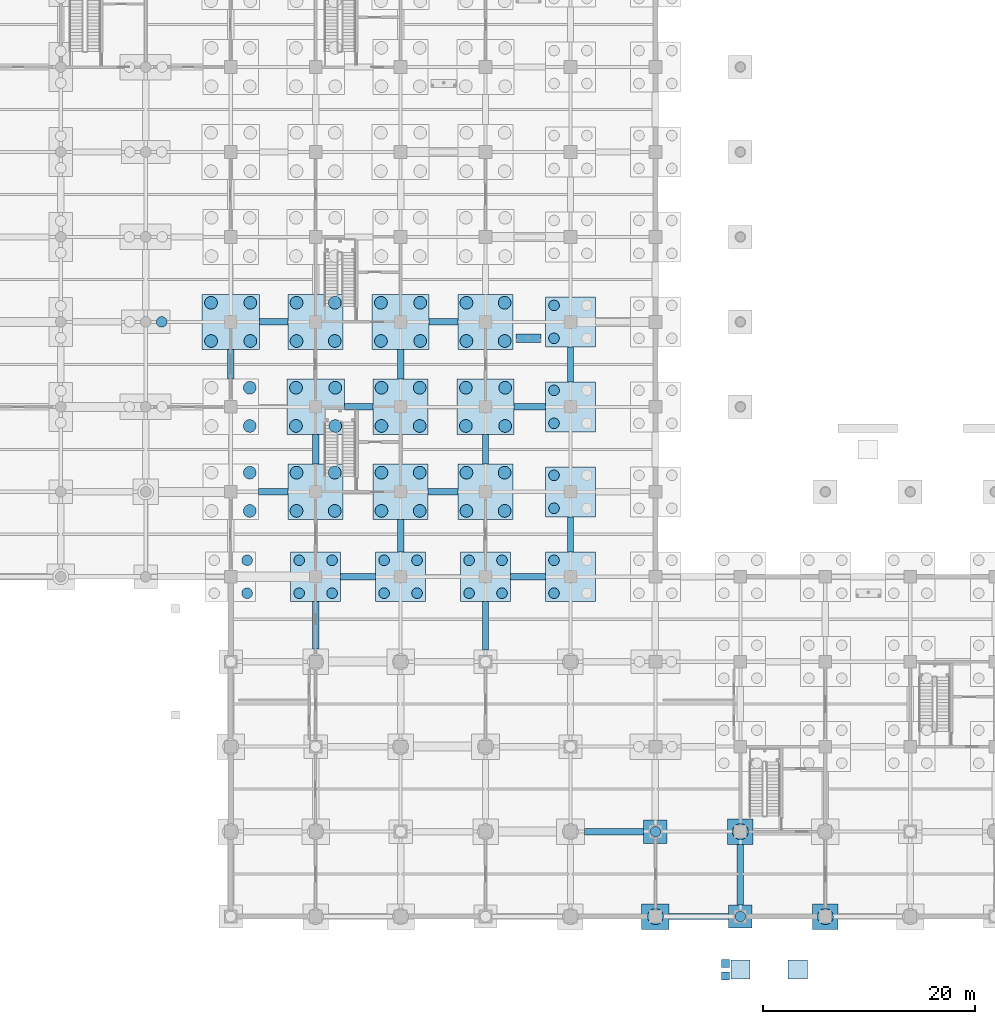
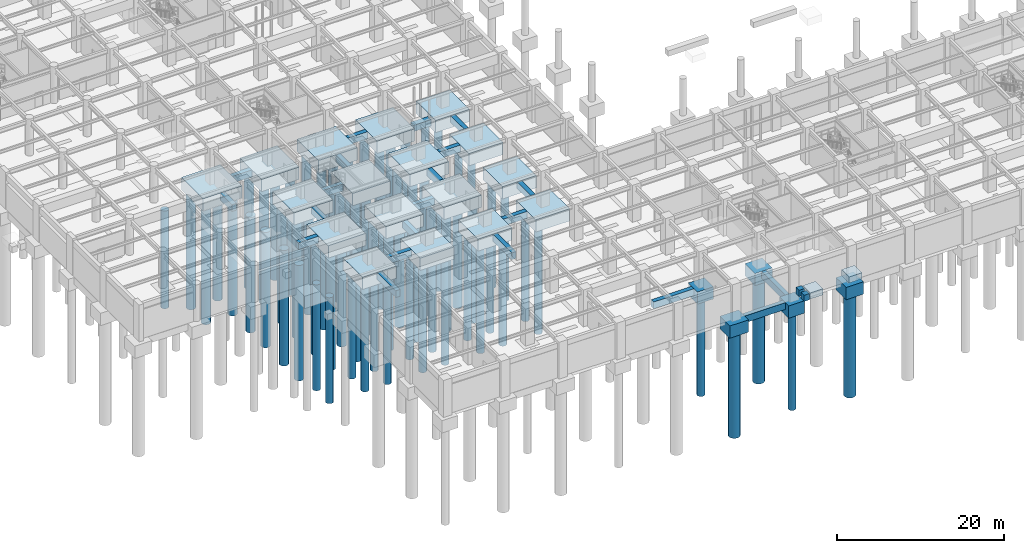
# One storey, part 2 of 97: 72 piles, 47 footings.
"""IFC4 building model written with IfcOpenShell, lengths in metres."""

from ifc_helpers import new_model, si_unit, direction, frame, origin, origin_2d, place, context, subcontext, project, spatial, rectangle, circle, extrude, material, layer, layer_set, material_profile, profile_set, type_object, element, save


model = new_model("IFC4")

# Units and contexts
model_context = context("Model", 3, precision=1e-05, world=origin(), true_north=direction((0.0, 1.0)))
body_context = subcontext(model_context, "Body", "Model", "MODEL_VIEW")
ifc_project = project(units=[si_unit("LENGTHUNIT", "METRE"), si_unit("AREAUNIT", "SQUARE_METRE"), si_unit("VOLUMEUNIT", "CUBIC_METRE"), si_unit("PLANEANGLEUNIT", "RADIAN"), si_unit("MASSUNIT", "GRAM", prefix="KILO")], contexts=[model_context])

# Site, building, storey
site_placement = place(None, origin())
site = spatial("IfcSite", under=ifc_project, at=site_placement, CompositionType="ELEMENT")
building_placement = place(site_placement, origin())
building = spatial("IfcBuilding", under=site, at=building_placement, Name="Haebicheon Civic Stadium", CompositionType="ELEMENT")
storey_placement = place(building_placement, frame((0.0, 0.0, -5.39990234375)))
storey = spatial("IfcBuildingStorey", under=building, at=storey_placement, Name="B1", CompositionType="ELEMENT", Elevation=-5.39990234375)

# Footings
ifc_material_1 = material(Name="Concrete C40/50", Category="concrete")
ifc_layer_1 = layer(ifc_material_1, 1.0, Name="Concrete C40/50")
ifc_layer_set_1 = layer_set([ifc_layer_1], Name="Concrete C40/50")
footing_type_1 = type_object("IfcFootingType", Name="FB-2700x600", PredefinedType="FOOTING_BEAM", material=ifc_layer_set_1)
for number, where, z_axis, x_axis, name in (
    (1, (28.050048828125, 56.0, -1.0), (0.0, 0.0, 1.0), (1.0, 0.0, 0.0), "Ground tie beam X 03-07"),
    (2, (36.050048828125, 48.0, -1.0), (0.0, 0.0, 1.0), (1.0, 0.0, 0.0), "Ground tie beam X 04-06"),
    (3, (44.050048828125, 56.0, -1.0), (0.0, 0.0, 1.0), (1.0, 0.0, 0.0), "Ground tie beam X 05-07"),
):
    element("IfcFooting", number, at=place(storey_placement, frame(where, z_axis=z_axis, x_axis=x_axis)), inside=storey, type_object=footing_type_1, material=ifc_layer_set_1, Name=name, PredefinedType="FOOTING_BEAM", context=body_context, shape_type="SweptSolid", body=[
        extrude(rectangle(XDim=2.699951171875, YDim=0.60009765625, at=origin_2d()), origin(), (0.0, 0.0, 1.0), 1.0),
    ])
ifc_material_2 = material(Name="Concrete C40/50", Category="concrete")
ifc_layer_2 = layer(ifc_material_2, 1.0, Name="Concrete C40/50")
ifc_layer_set_2 = layer_set([ifc_layer_2], Name="Concrete C40/50")
footing_type_2 = type_object("IfcFootingType", Name="FB-2800x600", PredefinedType="FOOTING_BEAM", material=ifc_layer_set_2)
for number, where, z_axis, x_axis, name in (
    (4, (28.0, 40.0, -1.0), (0.0, 0.0, 1.0), (1.0, 0.0, 0.0), "Ground tie beam X 03-05"),
    (5, (24.0, 52.0, -1.0), (0.0, 0.0, 1.0), (0.0, 1.0, 0.0), "Ground tie beam Y 03-06"),
    (6, (32.0, 44.0, -1.0), (0.0, 0.0, 1.0), (0.0, 1.0, 0.0), "Ground tie beam Y 04-05"),
    (7, (44.0, 40.0, -1.0), (0.0, 0.0, 1.0), (1.0, 0.0, 0.0), "Ground tie beam X 05-05"),
    (8, (40.0, 52.0, -1.0), (0.0, 0.0, 1.0), (0.0, 1.0, 0.0), "Ground tie beam Y 05-06"),
    (9, (48.0, 44.0, -1.0), (0.0, 0.0, 1.0), (0.0, 1.0, 0.0), "Ground tie beam Y 06-05"),
):
    element("IfcFooting", number, at=place(storey_placement, frame(where, z_axis=z_axis, x_axis=x_axis)), inside=storey, type_object=footing_type_2, material=ifc_layer_set_2, Name=name, PredefinedType="FOOTING_BEAM", context=body_context, shape_type="SweptSolid", body=[
        extrude(rectangle(XDim=2.800048828125, YDim=0.60009765625, at=origin_2d()), origin(), (0.0, 0.0, 1.0), 1.0),
    ])
ifc_material_3 = material(Name="Concrete C40/50", Category="concrete")
ifc_layer_3 = layer(ifc_material_3, 1.0, Name="Concrete C40/50")
ifc_layer_set_3 = layer_set([ifc_layer_3], Name="Concrete C40/50")
footing_type_3 = type_object("IfcFootingType", Name="FB-2950x600", PredefinedType="FOOTING_BEAM", material=ifc_layer_set_3)
footing_1_placement = place(storey_placement, frame((52.175048828125, 48.0, -1.0), z_axis=(0.0, 0.0, 1.0), x_axis=(1.0, 0.0, 0.0)))
element("IfcFooting", 10, at=footing_1_placement, inside=storey, type_object=footing_type_3, material=ifc_layer_set_3, Name="Ground tie beam X 06-06", PredefinedType="FOOTING_BEAM", context=body_context, shape_type="SweptSolid", body=[
    extrude(rectangle(XDim=2.949951171875, YDim=0.60009765625, at=origin_2d()), origin(), (0.0, 0.0, 1.0), 1.0),
])
ifc_material_4 = material(Name="Concrete C40/50", Category="concrete")
ifc_layer_4 = layer(ifc_material_4, 1.0, Name="Concrete C40/50")
ifc_layer_set_4 = layer_set([ifc_layer_4], Name="Concrete C40/50")
footing_type_4 = type_object("IfcFootingType", Name="FB-3050x600", PredefinedType="FOOTING_BEAM", material=ifc_layer_set_4)
footing_2_placement = place(storey_placement, frame((40.0, 35.875, -1.0), z_axis=(0.0, 0.0, 1.0), x_axis=(0.0, 1.0, 0.0)))
element("IfcFooting", 11, at=footing_2_placement, inside=storey, type_object=footing_type_4, material=ifc_layer_set_4, Name="Ground tie beam Y 05-04", PredefinedType="FOOTING_BEAM", context=body_context, shape_type="SweptSolid", body=[
    extrude(rectangle(XDim=3.050048828125, YDim=0.60009765625, at=origin_2d()), origin(), (0.0, 0.0, 1.0), 1.0),
])
ifc_material_5 = material(Name="Concrete C40/50", Category="concrete")
ifc_layer_5 = layer(ifc_material_5, 1.0, Name="Concrete C40/50")
ifc_layer_set_5 = layer_set([ifc_layer_5], Name="Concrete C40/50")
footing_type_5 = type_object("IfcFootingType", Name="FB-3300x600", PredefinedType="FOOTING_BEAM", material=ifc_layer_set_5)
for number, where, z_axis, x_axis, name in (
    (12, (36.0, 32.0, -1.0), (0.0, 0.0, 1.0), (1.0, 0.0, 0.0), "Ground tie beam X 04-04"),
    (13, (52.0, 32.0, -1.0), (0.0, 0.0, 1.0), (1.0, 0.0, 0.0), "Ground tie beam X 06-04"),
    (14, (56.0, 36.0, -1.0), (0.0, 0.0, 1.0), (0.0, 1.0, 0.0), "Ground tie beam Y 07-04"),
    (15, (56.0, 52.0, -1.0), (0.0, 0.0, 1.0), (0.0, 1.0, 0.0), "Ground tie beam Y 07-06"),
):
    element("IfcFooting", number, at=place(storey_placement, frame(where, z_axis=z_axis, x_axis=x_axis)), inside=storey, type_object=footing_type_5, material=ifc_layer_set_5, Name=name, PredefinedType="FOOTING_BEAM", context=body_context, shape_type="SweptSolid", body=[
        extrude(rectangle(XDim=3.300048828125, YDim=0.60009765625, at=origin_2d()), origin(), (0.0, 0.0, 1.0), 1.0),
    ])
ifc_material_6 = material(Name="Concrete C40/50", Category="concrete")
ifc_layer_6 = layer(ifc_material_6, 1.0, Name="Concrete C40/50")
ifc_layer_set_6 = layer_set([ifc_layer_6], Name="Concrete C40/50")
footing_type_6 = type_object("IfcFootingType", Name="FB-4450x600", PredefinedType="FOOTING_BEAM", material=ifc_layer_set_6)
footing_3_placement = place(storey_placement, frame((32.0, 27.425048828125, -1.0), z_axis=(0.0, 0.0, 1.0), x_axis=(0.0, 1.0, 0.0)))
element("IfcFooting", 16, at=footing_3_placement, inside=storey, type_object=footing_type_6, material=ifc_layer_set_6, Name="Ground tie beam Y 04-03", PredefinedType="FOOTING_BEAM", context=body_context, shape_type="SweptSolid", body=[
    extrude(rectangle(XDim=4.449951171875, YDim=0.60009765625, at=origin_2d()), origin(), (0.0, 0.0, 1.0), 1.0),
])
ifc_material_7 = material(Name="Concrete C40/50", Category="concrete")
ifc_layer_7 = layer(ifc_material_7, 1.0, Name="Concrete C40/50")
ifc_layer_set_7 = layer_set([ifc_layer_7], Name="Concrete C40/50")
footing_type_7 = type_object("IfcFootingType", Name="FB-4550x600", PredefinedType="FOOTING_BEAM", material=ifc_layer_set_7)
footing_4_placement = place(storey_placement, frame((48.0, 27.375, -1.0), z_axis=(0.0, 0.0, 1.0), x_axis=(0.0, 1.0, 0.0)))
element("IfcFooting", 17, at=footing_4_placement, inside=storey, type_object=footing_type_7, material=ifc_layer_set_7, Name="Ground tie beam Y 06-03", PredefinedType="FOOTING_BEAM", context=body_context, shape_type="SweptSolid", body=[
    extrude(rectangle(XDim=4.550048828125, YDim=0.60009765625, at=origin_2d()), origin(), (0.0, 0.0, 1.0), 1.0),
])
ifc_material_8 = material(Name="Concrete C40/50", Category="concrete")
ifc_layer_8 = layer(ifc_material_8, 1.0, Name="Concrete C40/50")
ifc_layer_set_8 = layer_set([ifc_layer_8], Name="Concrete C40/50")
footing_type_8 = type_object("IfcFootingType", Name="FB-5600x600", PredefinedType="FOOTING_BEAM", material=ifc_layer_set_8)
for number, where, z_axis, x_axis, name in (
    (18, (60.10009765625, 8.0, -1.0), (0.0, 0.0, 1.0), (1.0, 0.0, 0.0), "Ground tie beam X 07-01"),
    (19, (68.10009765625, 0.0, -1.0), (0.0, 0.0, 1.0), (1.0, 0.0, 0.0), "Ground tie beam X 08-00"),
):
    element("IfcFooting", number, at=place(storey_placement, frame(where, z_axis=z_axis, x_axis=x_axis)), inside=storey, type_object=footing_type_8, material=ifc_layer_set_8, Name=name, PredefinedType="FOOTING_BEAM", context=body_context, shape_type="SweptSolid", body=[
        extrude(rectangle(XDim=5.60009765625, YDim=0.60009765625, at=origin_2d()), origin(), (0.0, 0.0, 1.0), 1.0),
    ])
ifc_material_9 = material(Name="Concrete C40/50", Category="concrete")
ifc_layer_9 = layer(ifc_material_9, 1.0, Name="Concrete C40/50")
ifc_layer_set_9 = layer_set([ifc_layer_9], Name="Concrete C40/50")
footing_type_9 = type_object("IfcFootingType", Name="FB-5700x600", PredefinedType="FOOTING_BEAM", material=ifc_layer_set_9)
footing_5_placement = place(storey_placement, frame((72.0, 3.949951171875, -1.0), z_axis=(0.0, 0.0, 1.0), x_axis=(0.0, 1.0, 0.0)))
element("IfcFooting", 20, at=footing_5_placement, inside=storey, type_object=footing_type_9, material=ifc_layer_set_9, Name="Ground tie beam Y 09-00", PredefinedType="FOOTING_BEAM", context=body_context, shape_type="SweptSolid", body=[
    extrude(rectangle(XDim=5.699951171875, YDim=0.60009765625, at=origin_2d()), origin(), (0.0, 0.0, 1.0), 1.0),
])
ifc_material_10 = material(Name="Concrete C40/50", Category="concrete")
ifc_layer_10 = layer(ifc_material_10, 1.800048828125, Name="Concrete C40/50")
ifc_layer_set_10 = layer_set([ifc_layer_10], Name="Concrete C40/50")
footing_type_10 = type_object("IfcFootingType", Name="PC-1P-2200", PredefinedType="PILE_CAP", material=ifc_layer_set_10)
for number, where, z_axis, x_axis, name in (
    (21, (64.0, 8.0, -1.80029296875), (0.0, 0.0, 1.0), (1.0, 0.0, 0.0), "Pile cap FT-PC-08-01"),
    (22, (72.0, 0.0, -1.80029296875), (0.0, 0.0, 1.0), (1.0, 0.0, 0.0), "Pile cap FT-PC-09-00"),
):
    element("IfcFooting", number, at=place(storey_placement, frame(where, z_axis=z_axis, x_axis=x_axis)), inside=storey, type_object=footing_type_10, material=ifc_layer_set_10, Name=name, PredefinedType="PILE_CAP", context=body_context, shape_type="SweptSolid", body=[
        extrude(rectangle(XDim=2.199951171875, YDim=2.199951171875, at=origin_2d()), origin(), (0.0, 0.0, 1.0), 1.800048828125),
    ])
ifc_material_11 = material(Name="Concrete C40/50", Category="concrete")
ifc_layer_11 = layer(ifc_material_11, 1.800048828125, Name="Concrete C40/50")
ifc_layer_set_11 = layer_set([ifc_layer_11], Name="Concrete C40/50")
footing_type_11 = type_object("IfcFootingType", Name="PC-1P-2400", PredefinedType="PILE_CAP", material=ifc_layer_set_11)
for number, where, z_axis, x_axis, name in (
    (23, (72.0, 8.0, -1.80029296875), (0.0, 0.0, 1.0), (1.0, 0.0, 0.0), "Pile cap FT-PC-09-01"),
    (24, (80.0, 0.0, -1.80029296875), (0.0, 0.0, 1.0), (1.0, 0.0, 0.0), "Pile cap FT-PC-10-00"),
):
    element("IfcFooting", number, at=place(storey_placement, frame(where, z_axis=z_axis, x_axis=x_axis)), inside=storey, type_object=footing_type_11, material=ifc_layer_set_11, Name=name, PredefinedType="PILE_CAP", context=body_context, shape_type="SweptSolid", body=[
        extrude(rectangle(XDim=2.39990234375, YDim=2.39990234375, at=origin_2d()), origin(), (0.0, 0.0, 1.0), 1.800048828125),
    ])
ifc_material_12 = material(Name="Concrete C40/50", Category="concrete")
ifc_layer_12 = layer(ifc_material_12, 1.800048828125, Name="Concrete C40/50")
ifc_layer_set_12 = layer_set([ifc_layer_12], Name="Concrete C40/50")
footing_type_12 = type_object("IfcFootingType", Name="PC-1P-2600", PredefinedType="PILE_CAP", material=ifc_layer_set_12)
footing_6_placement = place(storey_placement, frame((64.0, 0.0, -1.80029296875), z_axis=(0.0, 0.0, 1.0), x_axis=(1.0, 0.0, 0.0)))
element("IfcFooting", 25, at=footing_6_placement, inside=storey, type_object=footing_type_12, material=ifc_layer_set_12, Name="Pile cap FT-PC-08-00", PredefinedType="PILE_CAP", context=body_context, shape_type="SweptSolid", body=[
    extrude(rectangle(XDim=2.60009765625, YDim=2.39990234375, at=origin_2d()), origin(), (0.0, 0.0, 1.0), 1.800048828125),
])
ifc_material_13 = material(Name="Concrete C40/50", Category="concrete")
ifc_layer_13 = layer(ifc_material_13, 1.800048828125, Name="Concrete C40/50")
ifc_layer_set_13 = layer_set([ifc_layer_13], Name="Concrete C40/50")
footing_type_13 = type_object("IfcFootingType", Name="PC-4P-4700", PredefinedType="PILE_CAP", material=ifc_layer_set_13)
for number, where, z_axis, x_axis, name in (
    (26, (32.0, 32.0, -1.80029296875), (0.0, 0.0, 1.0), (1.0, 0.0, 0.0), "Pile cap FT-PC-04-04"),
    (27, (40.0, 32.0, -1.80029296875), (0.0, 0.0, 1.0), (1.0, 0.0, 0.0), "Pile cap FT-PC-05-04"),
    (28, (48.0, 32.0, -1.80029296875), (0.0, 0.0, 1.0), (1.0, 0.0, 0.0), "Pile cap FT-PC-06-04"),
    (29, (56.0, 32.0, -1.80029296875), (0.0, 0.0, 1.0), (1.0, 0.0, 0.0), "Pile cap FT-PC-07-04"),
    (30, (56.0, 40.0, -1.80029296875), (0.0, 0.0, 1.0), (1.0, 0.0, 0.0), "Pile cap FT-PC-07-05"),
    (31, (56.0, 48.0, -1.80029296875), (0.0, 0.0, 1.0), (1.0, 0.0, 0.0), "Pile cap FT-PC-07-06"),
    (32, (56.0, 56.0, -1.80029296875), (0.0, 0.0, 1.0), (1.0, 0.0, 0.0), "Pile cap FT-PC-07-07"),
):
    element("IfcFooting", number, at=place(storey_placement, frame(where, z_axis=z_axis, x_axis=x_axis)), inside=storey, type_object=footing_type_13, material=ifc_layer_set_13, Name=name, PredefinedType="PILE_CAP", context=body_context, shape_type="SweptSolid", body=[
        extrude(rectangle(XDim=4.699951171875, YDim=4.699951171875, at=origin_2d()), origin(), (0.0, 0.0, 1.0), 1.800048828125),
    ])
ifc_material_14 = material(Name="Concrete C40/50", Category="concrete")
ifc_layer_14 = layer(ifc_material_14, 1.800048828125, Name="Concrete C40/50")
ifc_layer_set_14 = layer_set([ifc_layer_14], Name="Concrete C40/50")
footing_type_14 = type_object("IfcFootingType", Name="PC-4P-5200", PredefinedType="PILE_CAP", material=ifc_layer_set_14)
for number, where, z_axis, x_axis, name in (
    (33, (32.0, 40.0, -1.80029296875), (0.0, 0.0, 1.0), (1.0, 0.0, 0.0), "Pile cap FT-PC-04-05"),
    (34, (32.0, 56.0, -1.80029296875), (0.0, 0.0, 1.0), (1.0, 0.0, 0.0), "Pile cap FT-PC-04-07"),
    (35, (40.0, 40.0, -1.80029296875), (0.0, 0.0, 1.0), (1.0, 0.0, 0.0), "Pile cap FT-PC-05-05"),
    (36, (40.0, 48.0, -1.80029296875), (0.0, 0.0, 1.0), (1.0, 0.0, 0.0), "Pile cap FT-PC-05-06"),
    (37, (48.0, 40.0, -1.80029296875), (0.0, 0.0, 1.0), (1.0, 0.0, 0.0), "Pile cap FT-PC-06-05"),
    (38, (48.0, 56.0, -1.80029296875), (0.0, 0.0, 1.0), (1.0, 0.0, 0.0), "Pile cap FT-PC-06-07"),
):
    element("IfcFooting", number, at=place(storey_placement, frame(where, z_axis=z_axis, x_axis=x_axis)), inside=storey, type_object=footing_type_14, material=ifc_layer_set_14, Name=name, PredefinedType="PILE_CAP", context=body_context, shape_type="SweptSolid", body=[
        extrude(rectangle(XDim=5.199951171875, YDim=5.199951171875, at=origin_2d()), origin(), (0.0, 0.0, 1.0), 1.800048828125),
    ])
ifc_material_15 = material(Name="Concrete C40/50", Category="concrete")
ifc_layer_15 = layer(ifc_material_15, 1.800048828125, Name="Concrete C40/50")
ifc_layer_set_15 = layer_set([ifc_layer_15], Name="Concrete C40/50")
footing_type_15 = type_object("IfcFootingType", Name="PC-4P-5400", PredefinedType="PILE_CAP", material=ifc_layer_set_15)
for number, where, z_axis, x_axis, name in (
    (39, (24.0, 56.0, -1.80029296875), (0.0, 0.0, 1.0), (1.0, 0.0, 0.0), "Pile cap FT-PC-03-07"),
    (40, (32.0, 48.0, -1.80029296875), (0.0, 0.0, 1.0), (1.0, 0.0, 0.0), "Pile cap FT-PC-04-06"),
    (41, (40.0, 56.0, -1.80029296875), (0.0, 0.0, 1.0), (1.0, 0.0, 0.0), "Pile cap FT-PC-05-07"),
    (42, (48.0, 48.0, -1.80029296875), (0.0, 0.0, 1.0), (1.0, 0.0, 0.0), "Pile cap FT-PC-06-06"),
):
    element("IfcFooting", number, at=place(storey_placement, frame(where, z_axis=z_axis, x_axis=x_axis)), inside=storey, type_object=footing_type_15, material=ifc_layer_set_15, Name=name, PredefinedType="PILE_CAP", context=body_context, shape_type="SweptSolid", body=[
        extrude(rectangle(XDim=5.39990234375, YDim=5.199951171875, at=origin_2d()), origin(), (0.0, 0.0, 1.0), 1.800048828125),
    ])
ifc_material_16 = material(Name="Concrete C35/45", Category="concrete")
ifc_layer_16 = layer(ifc_material_16, 0.89990234375, Name="Concrete C35/45")
ifc_layer_set_16 = layer_set([ifc_layer_16], Name="Concrete C35/45")
footing_type_16 = type_object("IfcFootingType", Name="PF-1800", PredefinedType="PAD_FOOTING", material=ifc_layer_set_16)
for number, where, z_axis, x_axis, name in (
    (43, (72.0, -5.0, 3.849853515625), (0.0, 0.0, 1.0), (1.0, 0.0, 0.0), "Ramp lower pad footing RMP-06"),
    (44, (77.39990234375, -5.0, 4.300048828125), (0.0, 0.0, 1.0), (1.0, 0.0, 0.0), "Ramp upper pad footing RMP-06"),
):
    element("IfcFooting", number, at=place(storey_placement, frame(where, z_axis=z_axis, x_axis=x_axis)), inside=storey, type_object=footing_type_16, material=ifc_layer_set_16, Name=name, PredefinedType="PAD_FOOTING", context=body_context, shape_type="SweptSolid", body=[
        extrude(rectangle(XDim=1.800048828125, YDim=1.800048828125, at=origin_2d()), origin(), (0.0, 0.0, 1.0), 0.89990234375),
    ])
ifc_material_17 = material(Name="Concrete C35/45", Category="concrete")
ifc_layer_17 = layer(ifc_material_17, 0.89990234375, Name="Concrete C35/45")
ifc_layer_set_17 = layer_set([ifc_layer_17], Name="Concrete C35/45")
footing_type_17 = type_object("IfcFootingType", Name="PF-2360x800", PredefinedType="PAD_FOOTING", material=ifc_layer_set_17)
footing_7_placement = place(storey_placement, frame((52.050048828125, 54.449951171875, -0.900146484375), z_axis=(0.0, 0.0, 1.0), x_axis=(1.0, 0.0, 0.0)))
element("IfcFooting", 45, at=footing_7_placement, inside=storey, type_object=footing_type_17, material=ifc_layer_set_17, Name="VM-01 vomitory landing pad footing", PredefinedType="PAD_FOOTING", context=body_context, shape_type="SweptSolid", body=[
    extrude(rectangle(XDim=2.360107421875, YDim=0.800048828125, at=origin_2d()), origin(), (0.0, 0.0, 1.0), 0.89990234375),
])
ifc_material_18 = material(Name="Concrete C35/45", Category="concrete")
ifc_layer_18 = layer(ifc_material_18, 0.89990234375, Name="Concrete C35/45")
ifc_layer_set_18 = layer_set([ifc_layer_18], Name="Concrete C35/45")
footing_type_18 = type_object("IfcFootingType", Name="PF-750", PredefinedType="PAD_FOOTING", material=ifc_layer_set_18)
for number, where, z_axis, x_axis, name in (
    (46, (70.60009765625, -5.60009765625, 3.849853515625), (0.0, 0.0, 1.0), (1.0, 0.0, 0.0), "Ramp landing corner pad footing RMP-06.1"),
    (47, (70.60009765625, -4.39990234375, 3.849853515625), (0.0, 0.0, 1.0), (1.0, 0.0, 0.0), "Ramp landing corner pad footing RMP-06.2"),
):
    element("IfcFooting", number, at=place(storey_placement, frame(where, z_axis=z_axis, x_axis=x_axis)), inside=storey, type_object=footing_type_18, material=ifc_layer_set_18, Name=name, PredefinedType="PAD_FOOTING", context=body_context, shape_type="SweptSolid", body=[
        extrude(rectangle(XDim=0.75, YDim=0.75, at=origin_2d()), origin(), (0.0, 0.0, 1.0), 0.89990234375),
    ])

# Piles
ifc_material_19 = material(Name="Concrete C40/50", Category="concrete")
ifc_material_profile_1 = material_profile(ifc_material_19, circle(Radius=0.5, at=origin_2d()), Name="PILE-D1000")
ifc_profile_set_1 = profile_set([ifc_material_profile_1], Name="Concrete C40/50")
pile_type_1 = type_object("IfcPileType", Name="PL-D1000", PredefinedType="BORED", material=ifc_profile_set_1)
pile_1_placement = place(storey_placement, frame((17.5, 56.0, -1.7001953125), z_axis=(0.0, 0.0, -1.0), x_axis=(1.0, 0.0, 0.0)))
element("IfcPile", 48, at=pile_1_placement, inside=storey, type_object=pile_type_1, material=ifc_profile_set_1, Name="Bored pile 02-07-2", PredefinedType="BORED", context=body_context, shape_type="SweptSolid", body=[
    extrude(circle(Radius=0.5, at=origin_2d()), origin(), (0.0, 0.0, 1.0), 14.300048828125),
])
for number, where, z_axis, x_axis, name in (
    (49, (25.550048828125, 30.449951171875, -1.7001953125), (0.0, 0.0, -1.0), (1.0, 0.0, 0.0), "Bored pile 03-04-2"),
    (50, (25.550048828125, 33.550048828125, -1.7001953125), (0.0, 0.0, -1.0), (1.0, 0.0, 0.0), "Bored pile 03-04-4"),
    (51, (30.449951171875, 30.449951171875, -1.7001953125), (0.0, 0.0, -1.0), (1.0, 0.0, 0.0), "Bored pile 04-04-1"),
    (52, (33.550048828125, 30.449951171875, -1.7001953125), (0.0, 0.0, -1.0), (1.0, 0.0, 0.0), "Bored pile 04-04-2"),
    (53, (30.449951171875, 33.550048828125, -1.7001953125), (0.0, 0.0, -1.0), (1.0, 0.0, 0.0), "Bored pile 04-04-3"),
    (54, (33.550048828125, 33.550048828125, -1.7001953125), (0.0, 0.0, -1.0), (1.0, 0.0, 0.0), "Bored pile 04-04-4"),
    (55, (38.449951171875, 30.449951171875, -1.7001953125), (0.0, 0.0, -1.0), (1.0, 0.0, 0.0), "Bored pile 05-04-1"),
    (56, (41.550048828125, 30.449951171875, -1.7001953125), (0.0, 0.0, -1.0), (1.0, 0.0, 0.0), "Bored pile 05-04-2"),
    (57, (38.449951171875, 33.550048828125, -1.7001953125), (0.0, 0.0, -1.0), (1.0, 0.0, 0.0), "Bored pile 05-04-3"),
    (58, (41.550048828125, 33.550048828125, -1.7001953125), (0.0, 0.0, -1.0), (1.0, 0.0, 0.0), "Bored pile 05-04-4"),
    (59, (46.449951171875, 30.449951171875, -1.7001953125), (0.0, 0.0, -1.0), (1.0, 0.0, 0.0), "Bored pile 06-04-1"),
    (60, (49.550048828125, 30.449951171875, -1.7001953125), (0.0, 0.0, -1.0), (1.0, 0.0, 0.0), "Bored pile 06-04-2"),
    (61, (46.449951171875, 33.550048828125, -1.7001953125), (0.0, 0.0, -1.0), (1.0, 0.0, 0.0), "Bored pile 06-04-3"),
    (62, (49.550048828125, 33.550048828125, -1.7001953125), (0.0, 0.0, -1.0), (1.0, 0.0, 0.0), "Bored pile 06-04-4"),
    (63, (54.449951171875, 30.449951171875, -1.7001953125), (0.0, 0.0, -1.0), (1.0, 0.0, 0.0), "Bored pile 07-04-1"),
    (64, (54.449951171875, 33.550048828125, -1.7001953125), (0.0, 0.0, -1.0), (1.0, 0.0, 0.0), "Bored pile 07-04-3"),
    (65, (54.449951171875, 38.449951171875, -1.7001953125), (0.0, 0.0, -1.0), (1.0, 0.0, 0.0), "Bored pile 07-05-1"),
    (66, (54.449951171875, 41.550048828125, -1.7001953125), (0.0, 0.0, -1.0), (1.0, 0.0, 0.0), "Bored pile 07-05-3"),
    (67, (54.449951171875, 46.449951171875, -1.7001953125), (0.0, 0.0, -1.0), (1.0, 0.0, 0.0), "Bored pile 07-06-1"),
    (68, (54.449951171875, 49.550048828125, -1.7001953125), (0.0, 0.0, -1.0), (1.0, 0.0, 0.0), "Bored pile 07-06-3"),
    (69, (54.449951171875, 54.449951171875, -1.7001953125), (0.0, 0.0, -1.0), (1.0, 0.0, 0.0), "Bored pile 07-07-1"),
    (70, (54.449951171875, 57.550048828125, -1.7001953125), (0.0, 0.0, -1.0), (1.0, 0.0, 0.0), "Bored pile 07-07-3"),
):
    element("IfcPile", number, at=place(storey_placement, frame(where, z_axis=z_axis, x_axis=x_axis)), inside=storey, type_object=pile_type_1, material=ifc_profile_set_1, Name=name, PredefinedType="BORED", context=body_context, shape_type="SweptSolid", body=[
        extrude(circle(Radius=0.5, at=origin_2d()), origin(), (0.0, 0.0, 1.0), 15.5),
    ])
for number, where, z_axis, x_axis, name in (
    (71, (64.0, 8.0, -1.7001953125), (0.0, 0.0, -1.0), (1.0, 0.0, 0.0), "Bored pile 08-01-1"),
    (72, (72.0, 0.0, -1.7001953125), (0.0, 0.0, -1.0), (1.0, 0.0, 0.0), "Bored pile 09-00-1"),
):
    element("IfcPile", number, at=place(storey_placement, frame(where, z_axis=z_axis, x_axis=x_axis)), inside=storey, type_object=pile_type_1, material=ifc_profile_set_1, Name=name, PredefinedType="BORED", context=body_context, shape_type="SweptSolid", body=[
        extrude(circle(Radius=0.5, at=origin_2d()), origin(), (0.0, 0.0, 1.0), 14.300048828125),
    ])
ifc_material_20 = material(Name="Concrete C40/50", Category="concrete")
ifc_material_profile_2 = material_profile(ifc_material_20, circle(Radius=0.60009765625, at=origin_2d()), Name="PILE-D1200")
ifc_profile_set_2 = profile_set([ifc_material_profile_2], Name="Concrete C40/50")
pile_type_2 = type_object("IfcPileType", Name="PL-D1200", PredefinedType="BORED", material=ifc_profile_set_2)
for number, where, z_axis, x_axis, name in (
    (73, (25.800048828125, 38.199951171875, -1.7001953125), (0.0, 0.0, -1.0), (1.0, 0.0, 0.0), "Bored pile 03-05-2"),
    (74, (25.800048828125, 41.800048828125, -1.7001953125), (0.0, 0.0, -1.0), (1.0, 0.0, 0.0), "Bored pile 03-05-4"),
    (75, (25.800048828125, 46.199951171875, -1.7001953125), (0.0, 0.0, -1.0), (1.0, 0.0, 0.0), "Bored pile 03-06-2"),
    (76, (25.800048828125, 49.800048828125, -1.7001953125), (0.0, 0.0, -1.0), (1.0, 0.0, 0.0), "Bored pile 03-06-4"),
):
    element("IfcPile", number, at=place(storey_placement, frame(where, z_axis=z_axis, x_axis=x_axis)), inside=storey, type_object=pile_type_2, material=ifc_profile_set_2, Name=name, PredefinedType="BORED", context=body_context, shape_type="SweptSolid", body=[
        extrude(circle(Radius=0.60009765625, at=origin_2d()), origin(), (0.0, 0.0, 1.0), 16.89990234375),
    ])
for number, where, z_axis, x_axis, name in (
    (77, (22.14990234375, 54.199951171875, -1.7001953125), (0.0, 0.0, -1.0), (1.0, 0.0, 0.0), "Bored pile 03-07-1"),
    (78, (25.85009765625, 54.199951171875, -1.7001953125), (0.0, 0.0, -1.0), (1.0, 0.0, 0.0), "Bored pile 03-07-2"),
    (79, (22.14990234375, 57.800048828125, -1.7001953125), (0.0, 0.0, -1.0), (1.0, 0.0, 0.0), "Bored pile 03-07-3"),
    (80, (25.85009765625, 57.800048828125, -1.7001953125), (0.0, 0.0, -1.0), (1.0, 0.0, 0.0), "Bored pile 03-07-4"),
):
    element("IfcPile", number, at=place(storey_placement, frame(where, z_axis=z_axis, x_axis=x_axis)), inside=storey, type_object=pile_type_2, material=ifc_profile_set_2, Name=name, PredefinedType="BORED", context=body_context, shape_type="SweptSolid", body=[
        extrude(circle(Radius=0.60009765625, at=origin_2d()), origin(), (0.0, 0.0, 1.0), 17.10009765625),
    ])
for number, where, z_axis, x_axis, name in (
    (81, (30.199951171875, 38.199951171875, -1.7001953125), (0.0, 0.0, -1.0), (1.0, 0.0, 0.0), "Bored pile 04-05-1"),
    (82, (33.800048828125, 38.199951171875, -1.7001953125), (0.0, 0.0, -1.0), (1.0, 0.0, 0.0), "Bored pile 04-05-2"),
    (83, (30.199951171875, 41.800048828125, -1.7001953125), (0.0, 0.0, -1.0), (1.0, 0.0, 0.0), "Bored pile 04-05-3"),
    (84, (33.800048828125, 41.800048828125, -1.7001953125), (0.0, 0.0, -1.0), (1.0, 0.0, 0.0), "Bored pile 04-05-4"),
):
    element("IfcPile", number, at=place(storey_placement, frame(where, z_axis=z_axis, x_axis=x_axis)), inside=storey, type_object=pile_type_2, material=ifc_profile_set_2, Name=name, PredefinedType="BORED", context=body_context, shape_type="SweptSolid", body=[
        extrude(circle(Radius=0.60009765625, at=origin_2d()), origin(), (0.0, 0.0, 1.0), 16.89990234375),
    ])
for number, where, z_axis, x_axis, name in (
    (85, (30.14990234375, 46.199951171875, -1.7001953125), (0.0, 0.0, -1.0), (1.0, 0.0, 0.0), "Bored pile 04-06-1"),
    (86, (33.85009765625, 46.199951171875, -1.7001953125), (0.0, 0.0, -1.0), (1.0, 0.0, 0.0), "Bored pile 04-06-2"),
    (87, (30.14990234375, 49.800048828125, -1.7001953125), (0.0, 0.0, -1.0), (1.0, 0.0, 0.0), "Bored pile 04-06-3"),
    (88, (33.85009765625, 49.800048828125, -1.7001953125), (0.0, 0.0, -1.0), (1.0, 0.0, 0.0), "Bored pile 04-06-4"),
):
    element("IfcPile", number, at=place(storey_placement, frame(where, z_axis=z_axis, x_axis=x_axis)), inside=storey, type_object=pile_type_2, material=ifc_profile_set_2, Name=name, PredefinedType="BORED", context=body_context, shape_type="SweptSolid", body=[
        extrude(circle(Radius=0.60009765625, at=origin_2d()), origin(), (0.0, 0.0, 1.0), 17.10009765625),
    ])
for number, where, z_axis, x_axis, name in (
    (89, (30.199951171875, 54.199951171875, -1.7001953125), (0.0, 0.0, -1.0), (1.0, 0.0, 0.0), "Bored pile 04-07-1"),
    (90, (33.800048828125, 54.199951171875, -1.7001953125), (0.0, 0.0, -1.0), (1.0, 0.0, 0.0), "Bored pile 04-07-2"),
    (91, (30.199951171875, 57.800048828125, -1.7001953125), (0.0, 0.0, -1.0), (1.0, 0.0, 0.0), "Bored pile 04-07-3"),
    (92, (33.800048828125, 57.800048828125, -1.7001953125), (0.0, 0.0, -1.0), (1.0, 0.0, 0.0), "Bored pile 04-07-4"),
    (93, (38.199951171875, 38.199951171875, -1.7001953125), (0.0, 0.0, -1.0), (1.0, 0.0, 0.0), "Bored pile 05-05-1"),
    (94, (41.800048828125, 38.199951171875, -1.7001953125), (0.0, 0.0, -1.0), (1.0, 0.0, 0.0), "Bored pile 05-05-2"),
    (95, (38.199951171875, 41.800048828125, -1.7001953125), (0.0, 0.0, -1.0), (1.0, 0.0, 0.0), "Bored pile 05-05-3"),
    (96, (41.800048828125, 41.800048828125, -1.7001953125), (0.0, 0.0, -1.0), (1.0, 0.0, 0.0), "Bored pile 05-05-4"),
    (97, (38.199951171875, 46.199951171875, -1.7001953125), (0.0, 0.0, -1.0), (1.0, 0.0, 0.0), "Bored pile 05-06-1"),
    (98, (41.800048828125, 46.199951171875, -1.7001953125), (0.0, 0.0, -1.0), (1.0, 0.0, 0.0), "Bored pile 05-06-2"),
    (99, (38.199951171875, 49.800048828125, -1.7001953125), (0.0, 0.0, -1.0), (1.0, 0.0, 0.0), "Bored pile 05-06-3"),
    (100, (41.800048828125, 49.800048828125, -1.7001953125), (0.0, 0.0, -1.0), (1.0, 0.0, 0.0), "Bored pile 05-06-4"),
):
    element("IfcPile", number, at=place(storey_placement, frame(where, z_axis=z_axis, x_axis=x_axis)), inside=storey, type_object=pile_type_2, material=ifc_profile_set_2, Name=name, PredefinedType="BORED", context=body_context, shape_type="SweptSolid", body=[
        extrude(circle(Radius=0.60009765625, at=origin_2d()), origin(), (0.0, 0.0, 1.0), 16.89990234375),
    ])
for number, where, z_axis, x_axis, name in (
    (101, (38.14990234375, 54.199951171875, -1.7001953125), (0.0, 0.0, -1.0), (1.0, 0.0, 0.0), "Bored pile 05-07-1"),
    (102, (41.85009765625, 54.199951171875, -1.7001953125), (0.0, 0.0, -1.0), (1.0, 0.0, 0.0), "Bored pile 05-07-2"),
    (103, (38.14990234375, 57.800048828125, -1.7001953125), (0.0, 0.0, -1.0), (1.0, 0.0, 0.0), "Bored pile 05-07-3"),
    (104, (41.85009765625, 57.800048828125, -1.7001953125), (0.0, 0.0, -1.0), (1.0, 0.0, 0.0), "Bored pile 05-07-4"),
):
    element("IfcPile", number, at=place(storey_placement, frame(where, z_axis=z_axis, x_axis=x_axis)), inside=storey, type_object=pile_type_2, material=ifc_profile_set_2, Name=name, PredefinedType="BORED", context=body_context, shape_type="SweptSolid", body=[
        extrude(circle(Radius=0.60009765625, at=origin_2d()), origin(), (0.0, 0.0, 1.0), 17.10009765625),
    ])
for number, where, z_axis, x_axis, name in (
    (105, (46.199951171875, 38.199951171875, -1.7001953125), (0.0, 0.0, -1.0), (1.0, 0.0, 0.0), "Bored pile 06-05-1"),
    (106, (49.800048828125, 38.199951171875, -1.7001953125), (0.0, 0.0, -1.0), (1.0, 0.0, 0.0), "Bored pile 06-05-2"),
    (107, (46.199951171875, 41.800048828125, -1.7001953125), (0.0, 0.0, -1.0), (1.0, 0.0, 0.0), "Bored pile 06-05-3"),
    (108, (49.800048828125, 41.800048828125, -1.7001953125), (0.0, 0.0, -1.0), (1.0, 0.0, 0.0), "Bored pile 06-05-4"),
):
    element("IfcPile", number, at=place(storey_placement, frame(where, z_axis=z_axis, x_axis=x_axis)), inside=storey, type_object=pile_type_2, material=ifc_profile_set_2, Name=name, PredefinedType="BORED", context=body_context, shape_type="SweptSolid", body=[
        extrude(circle(Radius=0.60009765625, at=origin_2d()), origin(), (0.0, 0.0, 1.0), 16.89990234375),
    ])
for number, where, z_axis, x_axis, name in (
    (109, (46.14990234375, 46.199951171875, -1.7001953125), (0.0, 0.0, -1.0), (1.0, 0.0, 0.0), "Bored pile 06-06-1"),
    (110, (49.85009765625, 46.199951171875, -1.7001953125), (0.0, 0.0, -1.0), (1.0, 0.0, 0.0), "Bored pile 06-06-2"),
    (111, (46.14990234375, 49.800048828125, -1.7001953125), (0.0, 0.0, -1.0), (1.0, 0.0, 0.0), "Bored pile 06-06-3"),
    (112, (49.85009765625, 49.800048828125, -1.7001953125), (0.0, 0.0, -1.0), (1.0, 0.0, 0.0), "Bored pile 06-06-4"),
):
    element("IfcPile", number, at=place(storey_placement, frame(where, z_axis=z_axis, x_axis=x_axis)), inside=storey, type_object=pile_type_2, material=ifc_profile_set_2, Name=name, PredefinedType="BORED", context=body_context, shape_type="SweptSolid", body=[
        extrude(circle(Radius=0.60009765625, at=origin_2d()), origin(), (0.0, 0.0, 1.0), 17.10009765625),
    ])
for number, where, z_axis, x_axis, name in (
    (113, (46.199951171875, 54.199951171875, -1.7001953125), (0.0, 0.0, -1.0), (1.0, 0.0, 0.0), "Bored pile 06-07-1"),
    (114, (49.800048828125, 54.199951171875, -1.7001953125), (0.0, 0.0, -1.0), (1.0, 0.0, 0.0), "Bored pile 06-07-2"),
    (115, (46.199951171875, 57.800048828125, -1.7001953125), (0.0, 0.0, -1.0), (1.0, 0.0, 0.0), "Bored pile 06-07-3"),
    (116, (49.800048828125, 57.800048828125, -1.7001953125), (0.0, 0.0, -1.0), (1.0, 0.0, 0.0), "Bored pile 06-07-4"),
):
    element("IfcPile", number, at=place(storey_placement, frame(where, z_axis=z_axis, x_axis=x_axis)), inside=storey, type_object=pile_type_2, material=ifc_profile_set_2, Name=name, PredefinedType="BORED", context=body_context, shape_type="SweptSolid", body=[
        extrude(circle(Radius=0.60009765625, at=origin_2d()), origin(), (0.0, 0.0, 1.0), 16.89990234375),
    ])
ifc_material_21 = material(Name="Concrete C40/50", Category="concrete")
ifc_material_profile_3 = material_profile(ifc_material_21, circle(Radius=0.75, at=origin_2d()), Name="PILE-D1500")
ifc_profile_set_3 = profile_set([ifc_material_profile_3], Name="Concrete C40/50")
pile_type_3 = type_object("IfcPileType", Name="PL-D1500", PredefinedType="BORED", material=ifc_profile_set_3)
pile_2_placement = place(storey_placement, frame((64.0, 0.0, -1.7001953125), z_axis=(0.0, 0.0, -1.0), x_axis=(1.0, 0.0, 0.0)))
element("IfcPile", 117, at=pile_2_placement, inside=storey, type_object=pile_type_3, material=ifc_profile_set_3, Name="Bored pile 08-00-1", PredefinedType="BORED", context=body_context, shape_type="SweptSolid", body=[
    extrude(circle(Radius=0.75, at=origin_2d()), origin(), (0.0, 0.0, 1.0), 15.39990234375),
])
for number, where, z_axis, x_axis, name in (
    (118, (72.0, 8.0, -1.7001953125), (0.0, 0.0, -1.0), (1.0, 0.0, 0.0), "Bored pile 09-01-1"),
    (119, (80.0, 0.0, -1.7001953125), (0.0, 0.0, -1.0), (1.0, 0.0, 0.0), "Bored pile 10-00-1"),
):
    element("IfcPile", number, at=place(storey_placement, frame(where, z_axis=z_axis, x_axis=x_axis)), inside=storey, type_object=pile_type_3, material=ifc_profile_set_3, Name=name, PredefinedType="BORED", context=body_context, shape_type="SweptSolid", body=[
        extrude(circle(Radius=0.75, at=origin_2d()), origin(), (0.0, 0.0, 1.0), 15.10009765625),
    ])

save(model, "model.ifc")
